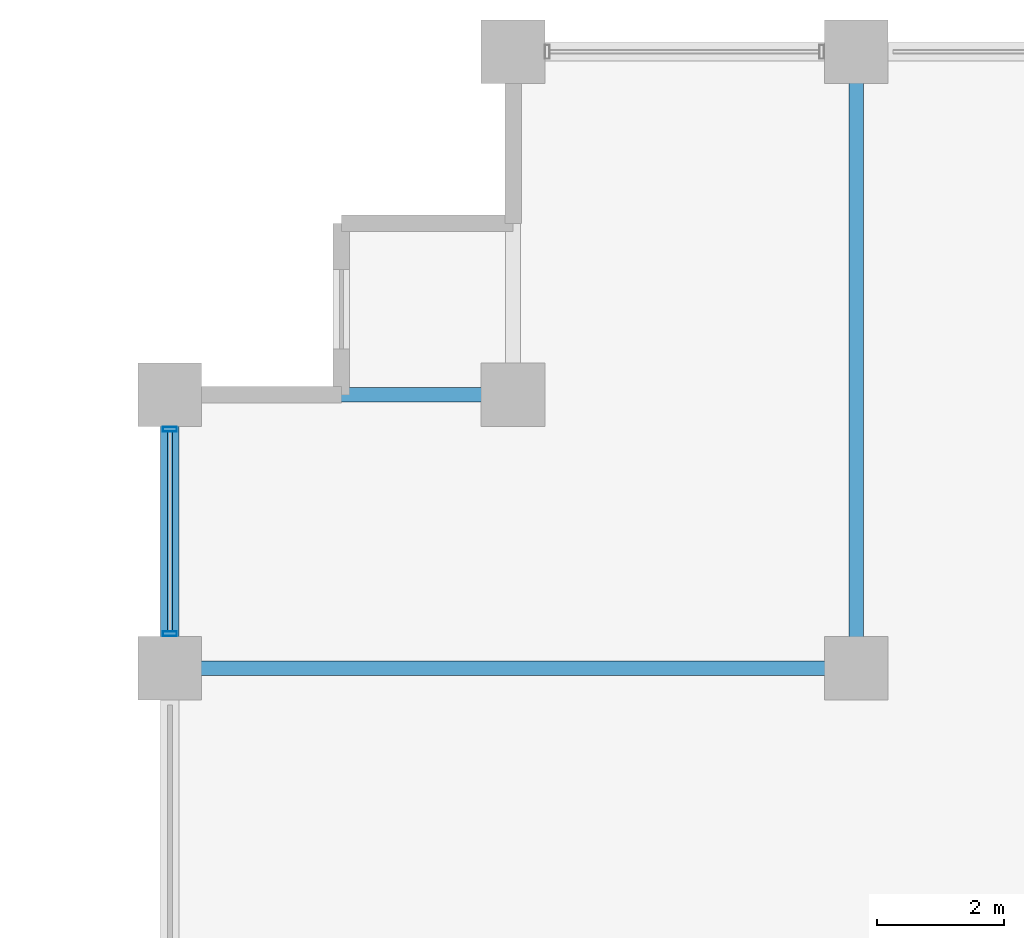
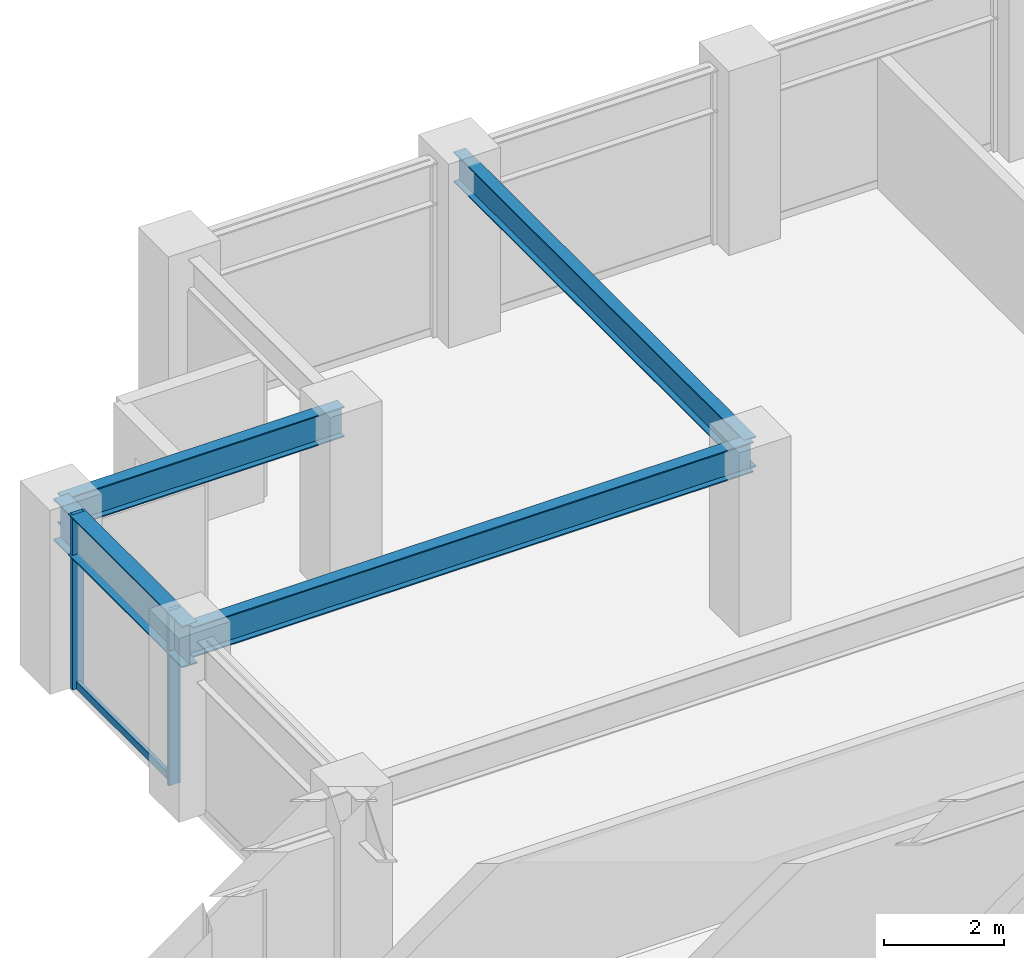
# One storey, part 12 of 29: 4 beams, 3 members, 1 element without a shape of its own.
"""IFC4 building model written with IfcOpenShell, lengths in metres."""

import ifcopenshell
import ifcopenshell.guid

model = None  # the IFC model being written
_history = None  # IfcOwnerHistory: only IFC2X3 demands one
_inside = {}  # id of a spatial element -> (the spatial element, [elements in it])
_under = {}  # id of a project, library or spatial element -> (it, [spatial elements below it])
_declared = {}  # id of a project -> (the project, [libraries it declares])
_typed = {}  # id of a type object -> (the type object, [elements of that type])
_made_of = {}  # id of a material, layer set ... -> (it, [elements and type objects made of it])


def new_model(schema):
    """Start an empty IFC model of exactly this schema.

    Asked for "IFC4X3", IfcOpenShell would pick the latest addendum, in which some entities
    have other attributes; the version numbers below select the first issue.
    IFC2X3 requires an IfcOwnerHistory on every rooted entity: one is made here for all.
    """
    global model, _history
    if schema == "IFC4X3":
        model = ifcopenshell.file(schema_version=(4, 3, 0, 0))
    else:
        model = ifcopenshell.file(schema=schema)
    _inside.clear()
    _under.clear()
    _declared.clear()
    _typed.clear()
    _made_of.clear()
    _history = None
    if model.schema == "IFC2X3":
        org = make("IfcOrganization", Name="unknown")
        user = make(
            "IfcPersonAndOrganization",
            ThePerson=make("IfcPerson", FamilyName="unknown"),
            TheOrganization=org,
        )
        app = make(
            "IfcApplication",
            ApplicationDeveloper=org,
            Version="unknown",
            ApplicationFullName="unknown",
            ApplicationIdentifier="unknown",
        )
        _history = make(
            "IfcOwnerHistory",
            OwningUser=user,
            OwningApplication=app,
            ChangeAction="ADDED",
            CreationDate=0,
        )
    return model


def make(cls, **values):
    """One entity of the class cls with the attributes given. An attribute that is None is left unset."""
    return model.create_entity(
        cls, **{name: value for name, value in values.items() if value is not None}
    )


def rooted(cls, **values):
    """An entity with a GlobalId (a new one), such as an element, a storey or a relation."""
    return make(cls, GlobalId=ifcopenshell.guid.new(), OwnerHistory=_history, **values)


def si_unit(unit_type, name, prefix=None):
    """IfcSIUnit, for example si_unit("LENGTHUNIT", "METRE", prefix="MILLI")."""
    return make("IfcSIUnit", UnitType=unit_type, Prefix=prefix, Name=name)


def assignment(units):
    """IfcUnitAssignment: the units of a project."""
    return None if units is None else make("IfcUnitAssignment", Units=units)


def point(xyz):
    """IfcCartesianPoint."""
    return None if xyz is None else make("IfcCartesianPoint", Coordinates=xyz)


def direction(xyz):
    """IfcDirection."""
    return None if xyz is None else make("IfcDirection", DirectionRatios=xyz)


def frame(location, z_axis=None, x_axis=None):
    """IfcAxis2Placement3D, a coordinate frame: its origin and axes. An axis left out is left unset."""
    return make(
        "IfcAxis2Placement3D",
        Location=point(location),
        Axis=direction(z_axis),
        RefDirection=direction(x_axis),
    )


def frame_2d(location, x_axis=None):
    """IfcAxis2Placement2D, a coordinate frame in the plane: its origin and x axis."""
    return make(
        "IfcAxis2Placement2D", Location=point(location), RefDirection=direction(x_axis)
    )


def origin():
    """The frame at (0, 0, 0) with its axes left unset."""
    return frame((0.0, 0.0, 0.0))


def origin_2d():
    """The frame at (0, 0) in the plane with its x axis left unset."""
    return frame_2d((0.0, 0.0))


def place(relative_to, where):
    """IfcLocalPlacement: puts the frame where relative to a parent placement (None: the world)."""
    return make(
        "IfcLocalPlacement", PlacementRelTo=relative_to, RelativePlacement=where
    )


def context(
    kind, dimensions, precision=None, world=None, true_north=None, identifier=None
):
    """IfcGeometricRepresentationContext, for example the 3D "Model" context."""
    return make(
        "IfcGeometricRepresentationContext",
        ContextIdentifier=identifier,
        ContextType=kind,
        CoordinateSpaceDimension=dimensions,
        Precision=precision,
        WorldCoordinateSystem=world,
        TrueNorth=true_north,
    )


def subcontext(parent, identifier, kind, view, scale=None):
    """IfcGeometricRepresentationSubContext, for example "Body" below "Model"."""
    return make(
        "IfcGeometricRepresentationSubContext",
        ContextIdentifier=identifier,
        ContextType=kind,
        ParentContext=parent,
        TargetScale=scale,
        TargetView=view,
    )


def project(units=None, contexts=None):
    """IfcProject with its units and contexts."""
    return rooted(
        "IfcProject",
        Name="project",
        RepresentationContexts=contexts,
        UnitsInContext=assignment(units),
    )


def spatial(cls, under=None, at=None, **own):
    """A site, building, storey or space (cls), placed at a placement, below another one or the project."""
    s = rooted(cls, ObjectPlacement=at, **own)
    if under is not None:
        _under.setdefault(under.id(), (under, []))[1].append(s)
    return s


def profile(cls, at=None, kind="AREA", **sizes):
    """A parametric profile (cls). Its sizes go by their IFC names, for example OverallWidth=200.0."""
    return make(cls, ProfileType=kind, Position=at, **sizes)


def hollow_rectangle(**sizes):
    """IfcRectangleHollowProfileDef."""
    return profile("IfcRectangleHollowProfileDef", **sizes)


def i_section(**sizes):
    """IfcIShapeProfileDef."""
    return profile("IfcIShapeProfileDef", **sizes)


def extrude(swept, where, along, depth):
    """IfcExtrudedAreaSolid: the profile swept, set in the frame where, extruded along a direction by depth."""
    return make(
        "IfcExtrudedAreaSolid",
        SweptArea=swept,
        Position=where,
        ExtrudedDirection=direction(along),
        Depth=depth,
    )


def shape(context_of_items, identifier, shape_type, items):
    """IfcShapeRepresentation: the items that make up one representation, for example the "Body"."""
    return make(
        "IfcShapeRepresentation",
        ContextOfItems=context_of_items,
        RepresentationIdentifier=identifier,
        RepresentationType=shape_type,
        Items=items,
    )


def material(Name=None, Category=None):
    """IfcMaterial."""
    return make("IfcMaterial", Name=Name, Category=Category)


def layer(
    of_material, thickness, ventilated=None, Name=None, Category=None, Priority=None
):
    """IfcMaterialLayer: one layer of a wall or slab, of a material (None: an air gap)."""
    return make(
        "IfcMaterialLayer",
        Material=of_material,
        LayerThickness=thickness,
        IsVentilated=ventilated,
        Name=Name,
        Category=Category,
        Priority=Priority,
    )


def layer_set(layers, Name=None):
    """IfcMaterialLayerSet."""
    return make("IfcMaterialLayerSet", MaterialLayers=layers, LayerSetName=Name)


def material_profile(
    of_material, cross_section, Name=None, Category=None, Priority=None
):
    """IfcMaterialProfile: a cross section and its material."""
    return make(
        "IfcMaterialProfile",
        Name=Name,
        Material=of_material,
        Profile=cross_section,
        Priority=Priority,
        Category=Category,
    )


def profile_set(profiles, Name=None, composite=None):
    """IfcMaterialProfileSet."""
    return make(
        "IfcMaterialProfileSet",
        Name=Name,
        MaterialProfiles=profiles,
        CompositeProfile=composite,
    )


def made_of(thing, what):
    """Note that an element or type object is made of a material, layer set ...; save() writes the relation."""
    if what is not None:
        _made_of.setdefault(what.id(), (what, []))[1].append(thing)
    return thing


def type_object(cls, material=None, **own):
    """A type object (cls), such as IfcWallType, which elements share."""
    return made_of(rooted(cls, **own), material)


def element(
    cls,
    number,
    at=None,
    inside=None,
    cuts=None,
    type_object=None,
    material=None,
    context=None,
    identifier="Body",
    shape_type=None,
    held_by="IfcProductDefinitionShape",
    body=None,
    shapes=None,
    **own,
):
    """One element of the class cls, such as IfcWall. Its Tag is "e" and its number.

    at: its placement. inside: the storey or other place that contains it. cuts: it is an
    opening in that element (IfcRelVoidsElement). A single representation is given by context,
    identifier, shape_type and body (its items); several are given by shapes. held_by: the class
    of the entity that holds the representations. save() writes the other relations.
    """
    e = rooted(cls, Tag="e%d" % number, ObjectPlacement=at, **own)
    if body is not None:
        shapes = [shape(context, identifier, shape_type, body)]
    if shapes is not None:
        e.Representation = make(held_by, Representations=shapes)
    if inside is not None:
        _inside.setdefault(inside.id(), (inside, []))[1].append(e)
    if cuts is not None:
        rooted(
            "IfcRelVoidsElement", RelatingBuildingElement=cuts, RelatedOpeningElement=e
        )
    if type_object is not None:
        _typed.setdefault(type_object.id(), (type_object, []))[1].append(e)
    return made_of(e, material)


def aggregate(whole, parts):
    """IfcRelAggregates: a whole, such as a stair, and the parts it consists of."""
    return rooted("IfcRelAggregates", RelatingObject=whole, RelatedObjects=parts)


def save(model, path):
    """Write the relations noted so far, then the file.

    IfcRelAggregates (storeys below a building ...), IfcRelContainedInSpatialStructure (elements
    in a storey), IfcRelDefinesByType, IfcRelAssociatesMaterial and IfcRelDeclares: one each for
    every whole, place, type object, material and project.
    """
    for whole, parts in _under.values():
        aggregate(whole, parts)
    for where, things in _inside.values():
        rooted(
            "IfcRelContainedInSpatialStructure",
            RelatedElements=things,
            RelatingStructure=where,
        )
    for kind, things in _typed.values():
        rooted("IfcRelDefinesByType", RelatedObjects=things, RelatingType=kind)
    for what, things in _made_of.values():
        rooted("IfcRelAssociatesMaterial", RelatedObjects=things, RelatingMaterial=what)
    for by, libraries in _declared.values():
        rooted("IfcRelDeclares", RelatingContext=by, RelatedDefinitions=libraries)
    model.write(path)


model = new_model("IFC4")

# Units and contexts
model_context = context("Model", 3, precision=1e-05, world=origin(), true_north=direction((0.0, 1.0)))
body_context = subcontext(model_context, "Body", "Model", "MODEL_VIEW")
ifc_project = project(units=[si_unit("LENGTHUNIT", "METRE"), si_unit("AREAUNIT", "SQUARE_METRE"), si_unit("VOLUMEUNIT", "CUBIC_METRE"), si_unit("PLANEANGLEUNIT", "RADIAN"), si_unit("MASSUNIT", "GRAM", prefix="KILO")], contexts=[model_context])

# Site, building, storey
site_placement = place(None, origin())
site = spatial("IfcSite", under=ifc_project, at=site_placement, CompositionType="ELEMENT")
building_placement = place(site_placement, origin())
building = spatial("IfcBuilding", under=site, at=building_placement, Name="Surkhivell Harbour Commons", CompositionType="ELEMENT")
storey_placement = place(building_placement, frame((0.0, 0.0, 150.75)))
storey = spatial("IfcBuildingStorey", under=building, at=storey_placement, Name="L39", CompositionType="ELEMENT", Elevation=150.75)

# Beams
ifc_material_1 = material(Name="Steel S355", Category="steel")
ifc_material_profile_1 = material_profile(ifc_material_1, i_section(OverallWidth=0.22998046875, OverallDepth=0.616943359375, WebThickness=0.01318359375, FlangeThickness=0.022216796875, at=origin_2d()), Name="UB610x229x140")
ifc_profile_set_1 = profile_set([ifc_material_profile_1], Name="Steel S355")
beam_type_1 = type_object("IfcBeamType", Name="BM-GRD-610B", PredefinedType="BEAM", material=ifc_profile_set_1)
beam_1_placement = place(storey_placement, frame((-32.39990234375, 16.199951171875, 3.261474609375), z_axis=(1.0, 0.0, 0.0), x_axis=(0.0, 1.0, 0.0)))
element("IfcBeam", 1, at=beam_1_placement, inside=storey, type_object=beam_type_1, Name="L39 Floor Girder (-32.4,16.2)", PredefinedType="BEAM", context=body_context, shape_type="SweptSolid", body=[
    extrude(i_section(OverallWidth=0.22998046875, OverallDepth=0.616943359375, WebThickness=0.01318359375, FlangeThickness=0.022216796875, at=origin_2d()), origin(), (0.0, 0.0, 1.0), 10.7998046875),
])
beam_2_placement = place(storey_placement, frame((-32.39990234375, 20.5, 3.261474609375), z_axis=(1.0, 0.0, 0.0), x_axis=(0.0, 1.0, 0.0)))
element("IfcBeam", 2, at=beam_2_placement, inside=storey, type_object=beam_type_1, Name="L39 Floor Girder (-32.4,20.5)", PredefinedType="BEAM", context=body_context, shape_type="SweptSolid", body=[
    extrude(i_section(OverallWidth=0.22998046875, OverallDepth=0.616943359375, WebThickness=0.01318359375, FlangeThickness=0.022216796875, at=origin_2d()), origin(), (0.0, 0.0, 1.0), 5.39990234375),
])
beam_3_placement = place(storey_placement, frame((-21.60009765625, 16.199951171875, 3.261474609375), z_axis=(0.0, 1.0, 0.0), x_axis=(-1.0, 0.0, 0.0)))
element("IfcBeam", 3, at=beam_3_placement, inside=storey, type_object=beam_type_1, Name="L39 Floor Girder (-21.6,16.2)", PredefinedType="BEAM", context=body_context, shape_type="SweptSolid", body=[
    extrude(i_section(OverallWidth=0.22998046875, OverallDepth=0.616943359375, WebThickness=0.01318359375, FlangeThickness=0.022216796875, at=origin_2d()), origin(), (0.0, 0.0, 1.0), 9.699951171875),
])
ifc_material_2 = material(Name="Steel S460", Category="steel")
ifc_material_profile_2 = material_profile(ifc_material_2, i_section(OverallWidth=0.2939453125, OverallDepth=0.85107421875, WebThickness=0.01611328125, FlangeThickness=0.02685546875, at=origin_2d()), Name="UB838x292x226")
ifc_profile_set_2 = profile_set([ifc_material_profile_2], Name="Steel S460")
beam_type_2 = type_object("IfcBeamType", Name="BM-SPN-838", PredefinedType="SPANDREL", material=ifc_profile_set_2)
beam_4_placement = place(storey_placement, frame((-32.39990234375, 16.199951171875, 3.14453125), z_axis=(0.0, 1.0, 0.0), x_axis=(-1.0, 0.0, 0.0)))
element("IfcBeam", 4, at=beam_4_placement, inside=storey, type_object=beam_type_2, Name="L39 Tube Spandrel (-32.4,16.2)", PredefinedType="SPANDREL", context=body_context, shape_type="SweptSolid", body=[
    extrude(i_section(OverallWidth=0.2939453125, OverallDepth=0.85107421875, WebThickness=0.01611328125, FlangeThickness=0.02685546875, at=origin_2d()), origin(), (0.0, 0.0, 1.0), 4.300048828125),
])

# Curtain wall, members
ifc_material_3 = material(Name="Anodised pale-metal aluminium and insulated glazing", Category="aluminium")
ifc_layer = layer(ifc_material_3, 0.205078125)
ifc_layer_set = layer_set([ifc_layer], Name="Anodised pale-metal aluminium and insulated glazing")
curtain_wall_type = type_object("IfcCurtainWallType", Name="CW-SYS-Z2", PredefinedType="NOTDEFINED", material=ifc_layer_set)
curtain_wall_placement = place(storey_placement, origin())
curtain_wall = element("IfcCurtainWall", 5, at=curtain_wall_placement, inside=storey, type_object=curtain_wall_type, Name="L39 Curtain Wall CW-L39-E12R2", PredefinedType="NOTDEFINED")
ifc_material_4 = material(Name="Anodised pale-metal aluminium alloy 6063-T6", Category="aluminium")
ifc_material_profile_3 = material_profile(ifc_material_4, hollow_rectangle(XDim=0.074951171875, YDim=0.219970703125, WallThickness=0.00390625, at=origin_2d()), Name="ALU-MULL-75x220")
ifc_profile_set_3 = profile_set([ifc_material_profile_3], Name="Anodised pale-metal aluminium alloy 6063-T6")
member_type_1 = type_object("IfcMemberType", Name="CWM-220", PredefinedType="MULLION", material=ifc_profile_set_3)
member_1_placement = place(storey_placement, frame((-32.39990234375, 16.739501953125, 0.0), z_axis=(0.0, 0.0, 1.0), x_axis=(0.0, 1.0, 0.0)))
member_1 = element("IfcMember", 6, at=member_1_placement, type_object=member_type_1, Name="CW-Z2 mullion 2", PredefinedType="MULLION", context=body_context, shape_type="SweptSolid", body=[
    extrude(hollow_rectangle(XDim=0.074951171875, YDim=0.219970703125, WallThickness=0.00390625, at=origin_2d()), origin(), (0.0, 0.0, 1.0), 3.570068359375),
])
member_2_placement = place(storey_placement, frame((-32.39990234375, 19.96044921875, 0.0), z_axis=(0.0, 0.0, 1.0), x_axis=(0.0, 1.0, 0.0)))
member_2 = element("IfcMember", 7, at=member_2_placement, type_object=member_type_1, Name="CW-Z2 mullion 3", PredefinedType="MULLION", context=body_context, shape_type="SweptSolid", body=[
    extrude(hollow_rectangle(XDim=0.074951171875, YDim=0.219970703125, WallThickness=0.00390625, at=origin_2d()), origin(), (0.0, 0.0, 1.0), 3.570068359375),
])
ifc_material_profile_4 = material_profile(ifc_material_4, hollow_rectangle(XDim=0.074951171875, YDim=0.14990234375, WallThickness=0.00341796875, at=origin_2d()), Name="ALU-TRAN-75x150")
ifc_profile_set_4 = profile_set([ifc_material_profile_4], Name="Anodised pale-metal aluminium alloy 6063-T6")
member_type_2 = type_object("IfcMemberType", Name="CWT-150", PredefinedType="USERDEFINED", material=ifc_profile_set_4)
member_3_placement = place(storey_placement, frame((-32.39990234375, 16.777099609375, 0.074951171875), z_axis=(0.0, 1.0, 0.0), x_axis=(-1.0, 0.0, 0.0)))
member_3 = element("IfcMember", 8, at=member_3_placement, type_object=member_type_2, Name="CW-Z2 transom 2.1", ObjectType="TRANSOM", PredefinedType="USERDEFINED", context=body_context, shape_type="SweptSolid", body=[
    extrude(hollow_rectangle(XDim=0.074951171875, YDim=0.14990234375, WallThickness=0.00341796875, at=origin_2d()), origin(), (0.0, 0.0, 1.0), 3.14599609375),
])
aggregate(curtain_wall, [member_1, member_2, member_3])

save(model, "model.ifc")
